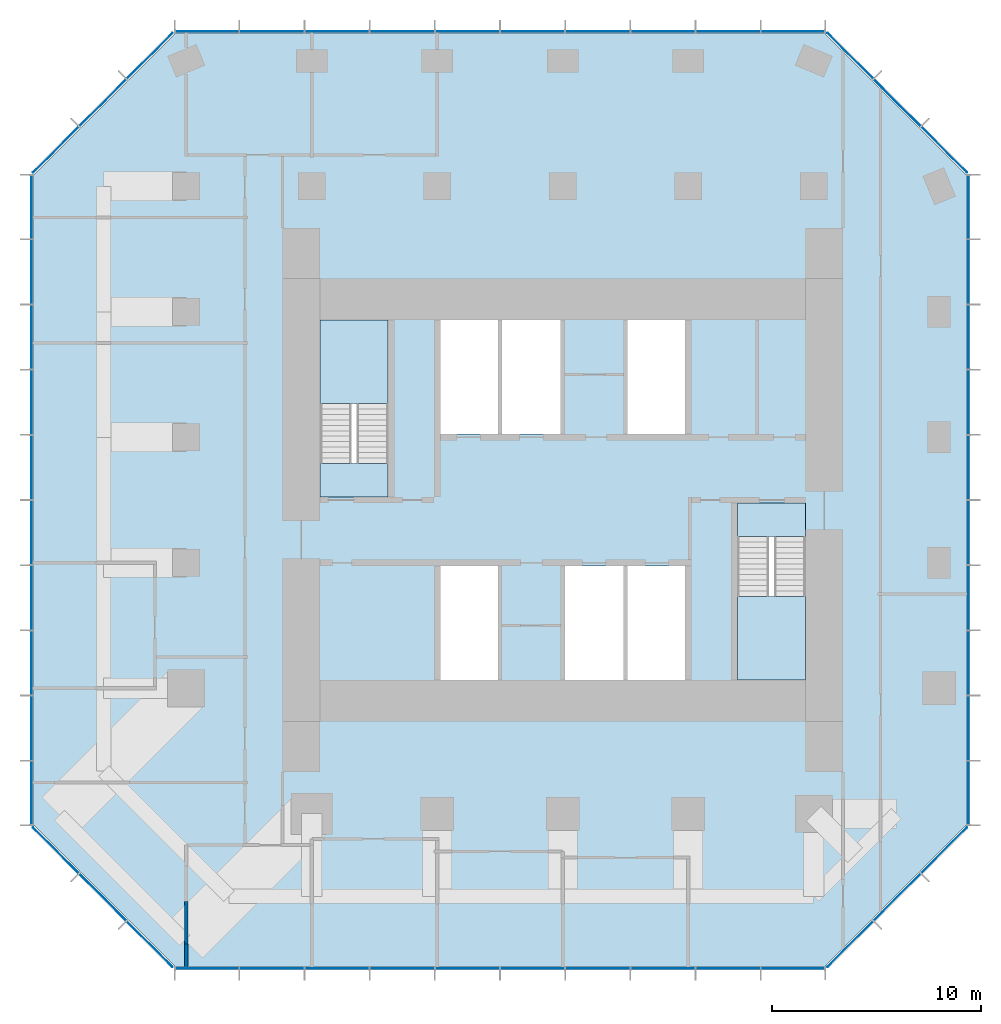
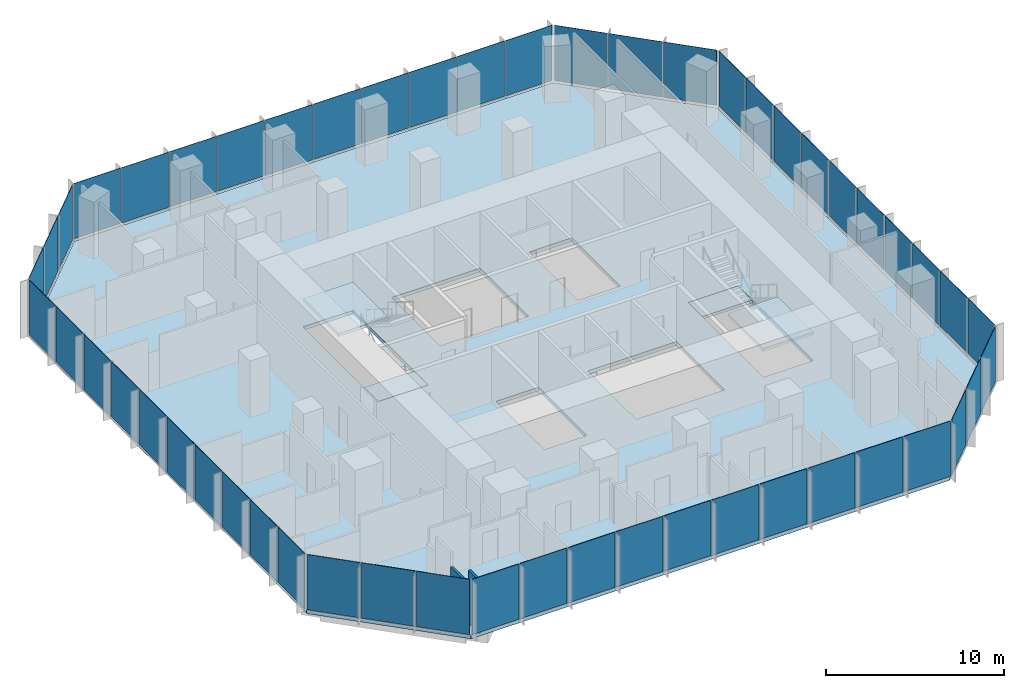
# One storey, part 7 of 11: 52 plates, 5 slabs, 2 walls, 10 elements without a shape of their own.
"""IFC4 building model written with IfcOpenShell, lengths in metres."""

from ifc_helpers import new_model, si_unit, direction, frame, frame_2d, origin, origin_2d, place, context, subcontext, project, spatial, polyline, rectangle, outline, extrude, material, layer, layer_set, type_object, element, aggregate, save


model = new_model("IFC4")

# Units and contexts
model_context = context("Model", 3, precision=1e-05, world=origin(), true_north=direction((0.0, 1.0)))
body_context = subcontext(model_context, "Body", "Model", "MODEL_VIEW")
ifc_project = project(units=[si_unit("LENGTHUNIT", "METRE"), si_unit("AREAUNIT", "SQUARE_METRE"), si_unit("VOLUMEUNIT", "CUBIC_METRE"), si_unit("PLANEANGLEUNIT", "RADIAN"), si_unit("MASSUNIT", "GRAM", prefix="KILO")], contexts=[model_context])

# Site, building, storey
site_placement = place(None, origin())
site = spatial("IfcSite", under=ifc_project, at=site_placement, CompositionType="ELEMENT")
building_placement = place(site_placement, origin())
building = spatial("IfcBuilding", under=site, at=building_placement, Name="Highveld Stack Headquarters", CompositionType="ELEMENT")
storey_placement = place(building_placement, frame((0.0, 0.0, 224.0)))
storey = spatial("IfcBuildingStorey", under=building, at=storey_placement, Name="L55", CompositionType="ELEMENT", Elevation=224.0)

# Curtain wall, plates
ifc_material_1 = material(Name="Aluminium bronze anodised", Category="aluminium")
ifc_layer_1 = layer(ifc_material_1, 0.199951171875)
ifc_layer_set_1 = layer_set([ifc_layer_1], Name="Aluminium bronze anodised")
curtain_wall_type_1 = type_object("IfcCurtainWallType", Name="CW1 TOWER UNITISED CURTAIN WALL", PredefinedType="NOTDEFINED", material=ifc_layer_set_1)
curtain_wall_1_placement = place(storey_placement, origin())
curtain_wall_1 = element("IfcCurtainWall", 1, at=curtain_wall_1_placement, inside=storey, type_object=curtain_wall_type_1, Name="Curtain wall CW1 L55 S", PredefinedType="NOTDEFINED")
ifc_material_2 = material(Name="Glass bronze tinted double glazed unit", Category="glass")
ifc_layer_2 = layer(ifc_material_2, 0.028076171875)
ifc_layer_set_2 = layer_set([ifc_layer_2], Name="Glass bronze tinted double glazed unit")
plate_type_1 = type_object("IfcPlateType", Name="CW1 PANEL BRONZE TINTED DOUBLE GLAZED UNIT", PredefinedType="CURTAIN_PANEL", material=ifc_layer_set_2)
plate_1_placement = place(storey_placement, frame((-11.005615234375, -19.39990234375, 0.10009765625), z_axis=(0.0, 0.0, 1.0), x_axis=(1.0, 0.0, 0.0)))
plate_1 = element("IfcPlate", 2, at=plate_1_placement, type_object=plate_type_1, Name="CW1 panel L55 1.1", PredefinedType="CURTAIN_PANEL", context=body_context, shape_type="SweptSolid", body=[
    extrude(rectangle(XDim=3.0185546875, YDim=0.028076171875, at=origin_2d()), origin(), (0.0, 0.0, 1.0), 3.800048828125),
])
plate_2_placement = place(storey_placement, frame((-7.906005859375, -19.39990234375, 0.10009765625), z_axis=(0.0, 0.0, 1.0), x_axis=(1.0, 0.0, 0.0)))
plate_2 = element("IfcPlate", 3, at=plate_2_placement, type_object=plate_type_1, Name="CW1 panel L55 2.1", PredefinedType="CURTAIN_PANEL", context=body_context, shape_type="SweptSolid", body=[
    extrude(rectangle(XDim=3.051025390625, YDim=0.028076171875, at=origin_2d()), origin(), (0.0, 0.0, 1.0), 3.800048828125),
])
plate_3_placement = place(storey_placement, frame((-4.7900390625, -19.39990234375, 0.10009765625), z_axis=(0.0, 0.0, 1.0), x_axis=(1.0, 0.0, 0.0)))
plate_3 = element("IfcPlate", 4, at=plate_3_placement, type_object=plate_type_1, Name="CW1 panel L55 3.1", PredefinedType="CURTAIN_PANEL", context=body_context, shape_type="SweptSolid", body=[
    extrude(rectangle(XDim=3.051025390625, YDim=0.028076171875, at=origin_2d()), origin(), (0.0, 0.0, 1.0), 3.800048828125),
])
plate_4_placement = place(storey_placement, frame((-1.674072265625, -19.39990234375, 0.10009765625), z_axis=(0.0, 0.0, 1.0), x_axis=(1.0, 0.0, 0.0)))
plate_4 = element("IfcPlate", 5, at=plate_4_placement, type_object=plate_type_1, Name="CW1 panel L55 4.1", PredefinedType="CURTAIN_PANEL", context=body_context, shape_type="SweptSolid", body=[
    extrude(rectangle(XDim=3.051025390625, YDim=0.028076171875, at=origin_2d()), origin(), (0.0, 0.0, 1.0), 3.800048828125),
])
plate_5_placement = place(storey_placement, frame((1.44189453125, -19.39990234375, 0.10009765625), z_axis=(0.0, 0.0, 1.0), x_axis=(1.0, 0.0, 0.0)))
plate_5 = element("IfcPlate", 6, at=plate_5_placement, type_object=plate_type_1, Name="CW1 panel L55 5.1", PredefinedType="CURTAIN_PANEL", context=body_context, shape_type="SweptSolid", body=[
    extrude(rectangle(XDim=3.051025390625, YDim=0.028076171875, at=origin_2d()), origin(), (0.0, 0.0, 1.0), 3.800048828125),
])
plate_6_placement = place(storey_placement, frame((4.55810546875, -19.39990234375, 0.10009765625), z_axis=(0.0, 0.0, 1.0), x_axis=(1.0, 0.0, 0.0)))
plate_6 = element("IfcPlate", 7, at=plate_6_placement, type_object=plate_type_1, Name="CW1 panel L55 6.1", PredefinedType="CURTAIN_PANEL", context=body_context, shape_type="SweptSolid", body=[
    extrude(rectangle(XDim=3.051025390625, YDim=0.028076171875, at=origin_2d()), origin(), (0.0, 0.0, 1.0), 3.800048828125),
])
plate_7_placement = place(storey_placement, frame((7.674072265625, -19.39990234375, 0.10009765625), z_axis=(0.0, 0.0, 1.0), x_axis=(1.0, 0.0, 0.0)))
plate_7 = element("IfcPlate", 8, at=plate_7_placement, type_object=plate_type_1, Name="CW1 panel L55 7.1", PredefinedType="CURTAIN_PANEL", context=body_context, shape_type="SweptSolid", body=[
    extrude(rectangle(XDim=3.051025390625, YDim=0.028076171875, at=origin_2d()), origin(), (0.0, 0.0, 1.0), 3.800048828125),
])
plate_8_placement = place(storey_placement, frame((10.789794921875, -19.39990234375, 0.10009765625), z_axis=(0.0, 0.0, 1.0), x_axis=(1.0, 0.0, 0.0)))
plate_8 = element("IfcPlate", 9, at=plate_8_placement, type_object=plate_type_1, Name="CW1 panel L55 8.1", PredefinedType="CURTAIN_PANEL", context=body_context, shape_type="SweptSolid", body=[
    extrude(rectangle(XDim=3.051025390625, YDim=0.028076171875, at=origin_2d()), origin(), (0.0, 0.0, 1.0), 3.800048828125),
])
plate_9_placement = place(storey_placement, frame((13.906005859375, -19.39990234375, 0.10009765625), z_axis=(0.0, 0.0, 1.0), x_axis=(1.0, 0.0, 0.0)))
plate_9 = element("IfcPlate", 10, at=plate_9_placement, type_object=plate_type_1, Name="CW1 panel L55 9.1", PredefinedType="CURTAIN_PANEL", context=body_context, shape_type="SweptSolid", body=[
    extrude(rectangle(XDim=3.051025390625, YDim=0.028076171875, at=origin_2d()), origin(), (0.0, 0.0, 1.0), 3.800048828125),
])
plate_10_placement = place(storey_placement, frame((17.005615234375, -19.39990234375, 0.10009765625), z_axis=(0.0, 0.0, 1.0), x_axis=(1.0, 0.0, 0.0)))
plate_10 = element("IfcPlate", 11, at=plate_10_placement, type_object=plate_type_1, Name="CW1 panel L55 10.1", PredefinedType="CURTAIN_PANEL", context=body_context, shape_type="SweptSolid", body=[
    extrude(rectangle(XDim=3.0185546875, YDim=0.028076171875, at=origin_2d()), origin(), (0.0, 0.0, 1.0), 3.800048828125),
])
aggregate(curtain_wall_1, [plate_1, plate_2, plate_3, plate_4, plate_5, plate_6, plate_7, plate_8, plate_9, plate_10])

curtain_wall_2_placement = place(storey_placement, origin())
curtain_wall_2 = element("IfcCurtainWall", 12, at=curtain_wall_2_placement, inside=storey, type_object=curtain_wall_type_1, Name="Curtain wall CW1 L55 E", PredefinedType="NOTDEFINED")
plate_11_placement = place(storey_placement, frame((25.39990234375, -11.005615234375, 0.10009765625), z_axis=(0.0, 0.0, 1.0), x_axis=(0.0, 1.0, 0.0)))
plate_11 = element("IfcPlate", 13, at=plate_11_placement, type_object=plate_type_1, Name="CW1 panel L55 1.1", PredefinedType="CURTAIN_PANEL", context=body_context, shape_type="SweptSolid", body=[
    extrude(rectangle(XDim=3.0185546875, YDim=0.028076171875, at=origin_2d()), origin(), (0.0, 0.0, 1.0), 3.800048828125),
])
plate_12_placement = place(storey_placement, frame((25.39990234375, -7.906005859375, 0.10009765625), z_axis=(0.0, 0.0, 1.0), x_axis=(0.0, 1.0, 0.0)))
plate_12 = element("IfcPlate", 14, at=plate_12_placement, type_object=plate_type_1, Name="CW1 panel L55 2.1", PredefinedType="CURTAIN_PANEL", context=body_context, shape_type="SweptSolid", body=[
    extrude(rectangle(XDim=3.051025390625, YDim=0.028076171875, at=origin_2d()), origin(), (0.0, 0.0, 1.0), 3.800048828125),
])
plate_13_placement = place(storey_placement, frame((25.39990234375, -4.7900390625, 0.10009765625), z_axis=(0.0, 0.0, 1.0), x_axis=(0.0, 1.0, 0.0)))
plate_13 = element("IfcPlate", 15, at=plate_13_placement, type_object=plate_type_1, Name="CW1 panel L55 3.1", PredefinedType="CURTAIN_PANEL", context=body_context, shape_type="SweptSolid", body=[
    extrude(rectangle(XDim=3.051025390625, YDim=0.028076171875, at=origin_2d()), origin(), (0.0, 0.0, 1.0), 3.800048828125),
])
plate_14_placement = place(storey_placement, frame((25.39990234375, -1.674072265625, 0.10009765625), z_axis=(0.0, 0.0, 1.0), x_axis=(0.0, 1.0, 0.0)))
plate_14 = element("IfcPlate", 16, at=plate_14_placement, type_object=plate_type_1, Name="CW1 panel L55 4.1", PredefinedType="CURTAIN_PANEL", context=body_context, shape_type="SweptSolid", body=[
    extrude(rectangle(XDim=3.051025390625, YDim=0.028076171875, at=origin_2d()), origin(), (0.0, 0.0, 1.0), 3.800048828125),
])
plate_15_placement = place(storey_placement, frame((25.39990234375, 1.44189453125, 0.10009765625), z_axis=(0.0, 0.0, 1.0), x_axis=(0.0, 1.0, 0.0)))
plate_15 = element("IfcPlate", 17, at=plate_15_placement, type_object=plate_type_1, Name="CW1 panel L55 5.1", PredefinedType="CURTAIN_PANEL", context=body_context, shape_type="SweptSolid", body=[
    extrude(rectangle(XDim=3.051025390625, YDim=0.028076171875, at=origin_2d()), origin(), (0.0, 0.0, 1.0), 3.800048828125),
])
plate_16_placement = place(storey_placement, frame((25.39990234375, 4.55810546875, 0.10009765625), z_axis=(0.0, 0.0, 1.0), x_axis=(0.0, 1.0, 0.0)))
plate_16 = element("IfcPlate", 18, at=plate_16_placement, type_object=plate_type_1, Name="CW1 panel L55 6.1", PredefinedType="CURTAIN_PANEL", context=body_context, shape_type="SweptSolid", body=[
    extrude(rectangle(XDim=3.051025390625, YDim=0.028076171875, at=origin_2d()), origin(), (0.0, 0.0, 1.0), 3.800048828125),
])
plate_17_placement = place(storey_placement, frame((25.39990234375, 7.674072265625, 0.10009765625), z_axis=(0.0, 0.0, 1.0), x_axis=(0.0, 1.0, 0.0)))
plate_17 = element("IfcPlate", 19, at=plate_17_placement, type_object=plate_type_1, Name="CW1 panel L55 7.1", PredefinedType="CURTAIN_PANEL", context=body_context, shape_type="SweptSolid", body=[
    extrude(rectangle(XDim=3.051025390625, YDim=0.028076171875, at=origin_2d()), origin(), (0.0, 0.0, 1.0), 3.800048828125),
])
plate_18_placement = place(storey_placement, frame((25.39990234375, 10.789794921875, 0.10009765625), z_axis=(0.0, 0.0, 1.0), x_axis=(0.0, 1.0, 0.0)))
plate_18 = element("IfcPlate", 20, at=plate_18_placement, type_object=plate_type_1, Name="CW1 panel L55 8.1", PredefinedType="CURTAIN_PANEL", context=body_context, shape_type="SweptSolid", body=[
    extrude(rectangle(XDim=3.051025390625, YDim=0.028076171875, at=origin_2d()), origin(), (0.0, 0.0, 1.0), 3.800048828125),
])
plate_19_placement = place(storey_placement, frame((25.39990234375, 13.906005859375, 0.10009765625), z_axis=(0.0, 0.0, 1.0), x_axis=(0.0, 1.0, 0.0)))
plate_19 = element("IfcPlate", 21, at=plate_19_placement, type_object=plate_type_1, Name="CW1 panel L55 9.1", PredefinedType="CURTAIN_PANEL", context=body_context, shape_type="SweptSolid", body=[
    extrude(rectangle(XDim=3.051025390625, YDim=0.028076171875, at=origin_2d()), origin(), (0.0, 0.0, 1.0), 3.800048828125),
])
plate_20_placement = place(storey_placement, frame((25.39990234375, 17.005615234375, 0.10009765625), z_axis=(0.0, 0.0, 1.0), x_axis=(0.0, 1.0, 0.0)))
plate_20 = element("IfcPlate", 22, at=plate_20_placement, type_object=plate_type_1, Name="CW1 panel L55 10.1", PredefinedType="CURTAIN_PANEL", context=body_context, shape_type="SweptSolid", body=[
    extrude(rectangle(XDim=3.0185546875, YDim=0.028076171875, at=origin_2d()), origin(), (0.0, 0.0, 1.0), 3.800048828125),
])
aggregate(curtain_wall_2, [plate_11, plate_12, plate_13, plate_14, plate_15, plate_16, plate_17, plate_18, plate_19, plate_20])

curtain_wall_3_placement = place(storey_placement, origin())
curtain_wall_3 = element("IfcCurtainWall", 23, at=curtain_wall_3_placement, inside=storey, type_object=curtain_wall_type_1, Name="Curtain wall CW1 L55 N", PredefinedType="NOTDEFINED")
plate_21_placement = place(storey_placement, frame((17.005615234375, 25.39990234375, 0.10009765625), z_axis=(0.0, 0.0, 1.0), x_axis=(-1.0, 0.0, 0.0)))
plate_21 = element("IfcPlate", 24, at=plate_21_placement, type_object=plate_type_1, Name="CW1 panel L55 1.1", PredefinedType="CURTAIN_PANEL", context=body_context, shape_type="SweptSolid", body=[
    extrude(rectangle(XDim=3.0185546875, YDim=0.028076171875, at=origin_2d()), origin(), (0.0, 0.0, 1.0), 3.800048828125),
])
plate_22_placement = place(storey_placement, frame((13.906005859375, 25.39990234375, 0.10009765625), z_axis=(0.0, 0.0, 1.0), x_axis=(-1.0, 0.0, 0.0)))
plate_22 = element("IfcPlate", 25, at=plate_22_placement, type_object=plate_type_1, Name="CW1 panel L55 2.1", PredefinedType="CURTAIN_PANEL", context=body_context, shape_type="SweptSolid", body=[
    extrude(rectangle(XDim=3.051025390625, YDim=0.028076171875, at=origin_2d()), origin(), (0.0, 0.0, 1.0), 3.800048828125),
])
plate_23_placement = place(storey_placement, frame((10.7900390625, 25.39990234375, 0.10009765625), z_axis=(0.0, 0.0, 1.0), x_axis=(-1.0, 0.0, 0.0)))
plate_23 = element("IfcPlate", 26, at=plate_23_placement, type_object=plate_type_1, Name="CW1 panel L55 3.1", PredefinedType="CURTAIN_PANEL", context=body_context, shape_type="SweptSolid", body=[
    extrude(rectangle(XDim=3.051025390625, YDim=0.028076171875, at=origin_2d()), origin(), (0.0, 0.0, 1.0), 3.800048828125),
])
plate_24_placement = place(storey_placement, frame((7.674072265625, 25.39990234375, 0.10009765625), z_axis=(0.0, 0.0, 1.0), x_axis=(-1.0, 0.0, 0.0)))
plate_24 = element("IfcPlate", 27, at=plate_24_placement, type_object=plate_type_1, Name="CW1 panel L55 4.1", PredefinedType="CURTAIN_PANEL", context=body_context, shape_type="SweptSolid", body=[
    extrude(rectangle(XDim=3.051025390625, YDim=0.028076171875, at=origin_2d()), origin(), (0.0, 0.0, 1.0), 3.800048828125),
])
plate_25_placement = place(storey_placement, frame((4.55810546875, 25.39990234375, 0.10009765625), z_axis=(0.0, 0.0, 1.0), x_axis=(-1.0, 0.0, 0.0)))
plate_25 = element("IfcPlate", 28, at=plate_25_placement, type_object=plate_type_1, Name="CW1 panel L55 5.1", PredefinedType="CURTAIN_PANEL", context=body_context, shape_type="SweptSolid", body=[
    extrude(rectangle(XDim=3.051025390625, YDim=0.028076171875, at=origin_2d()), origin(), (0.0, 0.0, 1.0), 3.800048828125),
])
plate_26_placement = place(storey_placement, frame((1.44189453125, 25.39990234375, 0.10009765625), z_axis=(0.0, 0.0, 1.0), x_axis=(-1.0, 0.0, 0.0)))
plate_26 = element("IfcPlate", 29, at=plate_26_placement, type_object=plate_type_1, Name="CW1 panel L55 6.1", PredefinedType="CURTAIN_PANEL", context=body_context, shape_type="SweptSolid", body=[
    extrude(rectangle(XDim=3.051025390625, YDim=0.028076171875, at=origin_2d()), origin(), (0.0, 0.0, 1.0), 3.800048828125),
])
plate_27_placement = place(storey_placement, frame((-1.674072265625, 25.39990234375, 0.10009765625), z_axis=(0.0, 0.0, 1.0), x_axis=(-1.0, 0.0, 0.0)))
plate_27 = element("IfcPlate", 30, at=plate_27_placement, type_object=plate_type_1, Name="CW1 panel L55 7.1", PredefinedType="CURTAIN_PANEL", context=body_context, shape_type="SweptSolid", body=[
    extrude(rectangle(XDim=3.051025390625, YDim=0.028076171875, at=origin_2d()), origin(), (0.0, 0.0, 1.0), 3.800048828125),
])
plate_28_placement = place(storey_placement, frame((-4.789794921875, 25.39990234375, 0.10009765625), z_axis=(0.0, 0.0, 1.0), x_axis=(-1.0, 0.0, 0.0)))
plate_28 = element("IfcPlate", 31, at=plate_28_placement, type_object=plate_type_1, Name="CW1 panel L55 8.1", PredefinedType="CURTAIN_PANEL", context=body_context, shape_type="SweptSolid", body=[
    extrude(rectangle(XDim=3.051025390625, YDim=0.028076171875, at=origin_2d()), origin(), (0.0, 0.0, 1.0), 3.800048828125),
])
plate_29_placement = place(storey_placement, frame((-7.906005859375, 25.39990234375, 0.10009765625), z_axis=(0.0, 0.0, 1.0), x_axis=(-1.0, 0.0, 0.0)))
plate_29 = element("IfcPlate", 32, at=plate_29_placement, type_object=plate_type_1, Name="CW1 panel L55 9.1", PredefinedType="CURTAIN_PANEL", context=body_context, shape_type="SweptSolid", body=[
    extrude(rectangle(XDim=3.051025390625, YDim=0.028076171875, at=origin_2d()), origin(), (0.0, 0.0, 1.0), 3.800048828125),
])
plate_30_placement = place(storey_placement, frame((-11.005615234375, 25.39990234375, 0.10009765625), z_axis=(0.0, 0.0, 1.0), x_axis=(-1.0, 0.0, 0.0)))
plate_30 = element("IfcPlate", 33, at=plate_30_placement, type_object=plate_type_1, Name="CW1 panel L55 10.1", PredefinedType="CURTAIN_PANEL", context=body_context, shape_type="SweptSolid", body=[
    extrude(rectangle(XDim=3.0185546875, YDim=0.028076171875, at=origin_2d()), origin(), (0.0, 0.0, 1.0), 3.800048828125),
])
aggregate(curtain_wall_3, [plate_21, plate_22, plate_23, plate_24, plate_25, plate_26, plate_27, plate_28, plate_29, plate_30])

curtain_wall_4_placement = place(storey_placement, origin())
curtain_wall_4 = element("IfcCurtainWall", 34, at=curtain_wall_4_placement, inside=storey, type_object=curtain_wall_type_1, Name="Curtain wall CW1 L55 W", PredefinedType="NOTDEFINED")
plate_31_placement = place(storey_placement, frame((-19.39990234375, 17.005615234375, 0.10009765625), z_axis=(0.0, 0.0, 1.0), x_axis=(0.0, -1.0, 0.0)))
plate_31 = element("IfcPlate", 35, at=plate_31_placement, type_object=plate_type_1, Name="CW1 panel L55 1.1", PredefinedType="CURTAIN_PANEL", context=body_context, shape_type="SweptSolid", body=[
    extrude(rectangle(XDim=3.0185546875, YDim=0.028076171875, at=origin_2d()), origin(), (0.0, 0.0, 1.0), 3.800048828125),
])
plate_32_placement = place(storey_placement, frame((-19.39990234375, 13.906005859375, 0.10009765625), z_axis=(0.0, 0.0, 1.0), x_axis=(0.0, -1.0, 0.0)))
plate_32 = element("IfcPlate", 36, at=plate_32_placement, type_object=plate_type_1, Name="CW1 panel L55 2.1", PredefinedType="CURTAIN_PANEL", context=body_context, shape_type="SweptSolid", body=[
    extrude(rectangle(XDim=3.051025390625, YDim=0.028076171875, at=origin_2d()), origin(), (0.0, 0.0, 1.0), 3.800048828125),
])
plate_33_placement = place(storey_placement, frame((-19.39990234375, 10.7900390625, 0.10009765625), z_axis=(0.0, 0.0, 1.0), x_axis=(0.0, -1.0, 0.0)))
plate_33 = element("IfcPlate", 37, at=plate_33_placement, type_object=plate_type_1, Name="CW1 panel L55 3.1", PredefinedType="CURTAIN_PANEL", context=body_context, shape_type="SweptSolid", body=[
    extrude(rectangle(XDim=3.051025390625, YDim=0.028076171875, at=origin_2d()), origin(), (0.0, 0.0, 1.0), 3.800048828125),
])
plate_34_placement = place(storey_placement, frame((-19.39990234375, 7.674072265625, 0.10009765625), z_axis=(0.0, 0.0, 1.0), x_axis=(0.0, -1.0, 0.0)))
plate_34 = element("IfcPlate", 38, at=plate_34_placement, type_object=plate_type_1, Name="CW1 panel L55 4.1", PredefinedType="CURTAIN_PANEL", context=body_context, shape_type="SweptSolid", body=[
    extrude(rectangle(XDim=3.051025390625, YDim=0.028076171875, at=origin_2d()), origin(), (0.0, 0.0, 1.0), 3.800048828125),
])
plate_35_placement = place(storey_placement, frame((-19.39990234375, 4.55810546875, 0.10009765625), z_axis=(0.0, 0.0, 1.0), x_axis=(0.0, -1.0, 0.0)))
plate_35 = element("IfcPlate", 39, at=plate_35_placement, type_object=plate_type_1, Name="CW1 panel L55 5.1", PredefinedType="CURTAIN_PANEL", context=body_context, shape_type="SweptSolid", body=[
    extrude(rectangle(XDim=3.051025390625, YDim=0.028076171875, at=origin_2d()), origin(), (0.0, 0.0, 1.0), 3.800048828125),
])
plate_36_placement = place(storey_placement, frame((-19.39990234375, 1.44189453125, 0.10009765625), z_axis=(0.0, 0.0, 1.0), x_axis=(0.0, -1.0, 0.0)))
plate_36 = element("IfcPlate", 40, at=plate_36_placement, type_object=plate_type_1, Name="CW1 panel L55 6.1", PredefinedType="CURTAIN_PANEL", context=body_context, shape_type="SweptSolid", body=[
    extrude(rectangle(XDim=3.051025390625, YDim=0.028076171875, at=origin_2d()), origin(), (0.0, 0.0, 1.0), 3.800048828125),
])
plate_37_placement = place(storey_placement, frame((-19.39990234375, -1.674072265625, 0.10009765625), z_axis=(0.0, 0.0, 1.0), x_axis=(0.0, -1.0, 0.0)))
plate_37 = element("IfcPlate", 41, at=plate_37_placement, type_object=plate_type_1, Name="CW1 panel L55 7.1", PredefinedType="CURTAIN_PANEL", context=body_context, shape_type="SweptSolid", body=[
    extrude(rectangle(XDim=3.051025390625, YDim=0.028076171875, at=origin_2d()), origin(), (0.0, 0.0, 1.0), 3.800048828125),
])
plate_38_placement = place(storey_placement, frame((-19.39990234375, -4.789794921875, 0.10009765625), z_axis=(0.0, 0.0, 1.0), x_axis=(0.0, -1.0, 0.0)))
plate_38 = element("IfcPlate", 42, at=plate_38_placement, type_object=plate_type_1, Name="CW1 panel L55 8.1", PredefinedType="CURTAIN_PANEL", context=body_context, shape_type="SweptSolid", body=[
    extrude(rectangle(XDim=3.051025390625, YDim=0.028076171875, at=origin_2d()), origin(), (0.0, 0.0, 1.0), 3.800048828125),
])
plate_39_placement = place(storey_placement, frame((-19.39990234375, -7.906005859375, 0.10009765625), z_axis=(0.0, 0.0, 1.0), x_axis=(0.0, -1.0, 0.0)))
plate_39 = element("IfcPlate", 43, at=plate_39_placement, type_object=plate_type_1, Name="CW1 panel L55 9.1", PredefinedType="CURTAIN_PANEL", context=body_context, shape_type="SweptSolid", body=[
    extrude(rectangle(XDim=3.051025390625, YDim=0.028076171875, at=origin_2d()), origin(), (0.0, 0.0, 1.0), 3.800048828125),
])
plate_40_placement = place(storey_placement, frame((-19.39990234375, -11.005615234375, 0.10009765625), z_axis=(0.0, 0.0, 1.0), x_axis=(0.0, -1.0, 0.0)))
plate_40 = element("IfcPlate", 44, at=plate_40_placement, type_object=plate_type_1, Name="CW1 panel L55 10.1", PredefinedType="CURTAIN_PANEL", context=body_context, shape_type="SweptSolid", body=[
    extrude(rectangle(XDim=3.0185546875, YDim=0.028076171875, at=origin_2d()), origin(), (0.0, 0.0, 1.0), 3.800048828125),
])
aggregate(curtain_wall_4, [plate_31, plate_32, plate_33, plate_34, plate_35, plate_36, plate_37, plate_38, plate_39, plate_40])

ifc_material_3 = material(Name="Aluminium bronze anodised", Category="aluminium")
ifc_layer_3 = layer(ifc_material_3, 0.199951171875)
ifc_layer_set_3 = layer_set([ifc_layer_3], Name="Aluminium bronze anodised")
curtain_wall_type_2 = type_object("IfcCurtainWallType", Name="CW2 TOWER CHAMFER UNITISED CURTAIN WALL", PredefinedType="NOTDEFINED", material=ifc_layer_set_3)
curtain_wall_5_placement = place(storey_placement, origin())
curtain_wall_5 = element("IfcCurtainWall", 45, at=curtain_wall_5_placement, inside=storey, type_object=curtain_wall_type_2, Name="Curtain wall CW2 L55 SE", PredefinedType="NOTDEFINED")
ifc_material_4 = material(Name="Glass bronze tinted double glazed unit", Category="glass")
ifc_layer_4 = layer(ifc_material_4, 0.028076171875)
ifc_layer_set_4 = layer_set([ifc_layer_4], Name="Glass bronze tinted double glazed unit")
plate_type_2 = type_object("IfcPlateType", Name="CW2 PANEL BRONZE TINTED DOUBLE GLAZED UNIT", PredefinedType="CURTAIN_PANEL", material=ifc_layer_set_4)
plate_41_placement = place(storey_placement, frame((19.740478515625, -18.239501953125, 0.10009765625), z_axis=(0.0, 0.0, 1.0), x_axis=(0.707106781187, 0.707106781187, 0.0)))
plate_41 = element("IfcPlate", 46, at=plate_41_placement, type_object=plate_type_2, Name="CW2 panel L55 1.1", PredefinedType="CURTAIN_PANEL", context=body_context, shape_type="SweptSolid", body=[
    extrude(rectangle(XDim=3.08251953125, YDim=0.028076171875, at=origin_2d()), origin(), (0.0, 0.0, 1.0), 3.800048828125),
])
plate_42_placement = place(storey_placement, frame((21.989990234375, -15.989990234375, 0.10009765625), z_axis=(0.0, 0.0, 1.0), x_axis=(0.707106781187, 0.707106781187, 0.0)))
plate_42 = element("IfcPlate", 47, at=plate_42_placement, type_object=plate_type_2, Name="CW2 panel L55 2.1", PredefinedType="CURTAIN_PANEL", context=body_context, shape_type="SweptSolid", body=[
    extrude(rectangle(XDim=3.14990234375, YDim=0.028076171875, at=origin_2d()), origin(), (0.0, 0.0, 1.0), 3.800048828125),
])
plate_43_placement = place(storey_placement, frame((24.239501953125, -13.740478515625, 0.10009765625), z_axis=(0.0, 0.0, 1.0), x_axis=(0.707106781187, 0.707106781187, 0.0)))
plate_43 = element("IfcPlate", 48, at=plate_43_placement, type_object=plate_type_2, Name="CW2 panel L55 3.1", PredefinedType="CURTAIN_PANEL", context=body_context, shape_type="SweptSolid", body=[
    extrude(rectangle(XDim=3.08251953125, YDim=0.028076171875, at=origin_2d()), origin(), (0.0, 0.0, 1.0), 3.800048828125),
])
aggregate(curtain_wall_5, [plate_41, plate_42, plate_43])

curtain_wall_6_placement = place(storey_placement, origin())
curtain_wall_6 = element("IfcCurtainWall", 49, at=curtain_wall_6_placement, inside=storey, type_object=curtain_wall_type_2, Name="Curtain wall CW2 L55 NE", PredefinedType="NOTDEFINED")
plate_44_placement = place(storey_placement, frame((24.239501953125, 19.740478515625, 0.10009765625), z_axis=(0.0, 0.0, 1.0), x_axis=(-0.707106781187, 0.707106781187, 0.0)))
plate_44 = element("IfcPlate", 50, at=plate_44_placement, type_object=plate_type_2, Name="CW2 panel L55 1.1", PredefinedType="CURTAIN_PANEL", context=body_context, shape_type="SweptSolid", body=[
    extrude(rectangle(XDim=3.08251953125, YDim=0.028076171875, at=origin_2d()), origin(), (0.0, 0.0, 1.0), 3.800048828125),
])
plate_45_placement = place(storey_placement, frame((21.989990234375, 21.989990234375, 0.10009765625), z_axis=(0.0, 0.0, 1.0), x_axis=(-0.707106781187, 0.707106781187, 0.0)))
plate_45 = element("IfcPlate", 51, at=plate_45_placement, type_object=plate_type_2, Name="CW2 panel L55 2.1", PredefinedType="CURTAIN_PANEL", context=body_context, shape_type="SweptSolid", body=[
    extrude(rectangle(XDim=3.14990234375, YDim=0.028076171875, at=origin_2d()), origin(), (0.0, 0.0, 1.0), 3.800048828125),
])
plate_46_placement = place(storey_placement, frame((19.740478515625, 24.239501953125, 0.10009765625), z_axis=(0.0, 0.0, 1.0), x_axis=(-0.707106781187, 0.707106781187, 0.0)))
plate_46 = element("IfcPlate", 52, at=plate_46_placement, type_object=plate_type_2, Name="CW2 panel L55 3.1", PredefinedType="CURTAIN_PANEL", context=body_context, shape_type="SweptSolid", body=[
    extrude(rectangle(XDim=3.08251953125, YDim=0.028076171875, at=origin_2d()), origin(), (0.0, 0.0, 1.0), 3.800048828125),
])
aggregate(curtain_wall_6, [plate_44, plate_45, plate_46])

curtain_wall_7_placement = place(storey_placement, origin())
curtain_wall_7 = element("IfcCurtainWall", 53, at=curtain_wall_7_placement, inside=storey, type_object=curtain_wall_type_2, Name="Curtain wall CW2 L55 NW", PredefinedType="NOTDEFINED")
plate_47_placement = place(storey_placement, frame((-13.740478515625, 24.239501953125, 0.10009765625), z_axis=(0.0, 0.0, 1.0), x_axis=(-0.707106781187, -0.707106781187, 0.0)))
plate_47 = element("IfcPlate", 54, at=plate_47_placement, type_object=plate_type_2, Name="CW2 panel L55 1.1", PredefinedType="CURTAIN_PANEL", context=body_context, shape_type="SweptSolid", body=[
    extrude(rectangle(XDim=3.08251953125, YDim=0.028076171875, at=origin_2d()), origin(), (0.0, 0.0, 1.0), 3.800048828125),
])
plate_48_placement = place(storey_placement, frame((-15.989990234375, 21.989990234375, 0.10009765625), z_axis=(0.0, 0.0, 1.0), x_axis=(-0.707106781187, -0.707106781187, 0.0)))
plate_48 = element("IfcPlate", 55, at=plate_48_placement, type_object=plate_type_2, Name="CW2 panel L55 2.1", PredefinedType="CURTAIN_PANEL", context=body_context, shape_type="SweptSolid", body=[
    extrude(rectangle(XDim=3.14990234375, YDim=0.028076171875, at=origin_2d()), origin(), (0.0, 0.0, 1.0), 3.800048828125),
])
plate_49_placement = place(storey_placement, frame((-18.239501953125, 19.740478515625, 0.10009765625), z_axis=(0.0, 0.0, 1.0), x_axis=(-0.707106781187, -0.707106781187, 0.0)))
plate_49 = element("IfcPlate", 56, at=plate_49_placement, type_object=plate_type_2, Name="CW2 panel L55 3.1", PredefinedType="CURTAIN_PANEL", context=body_context, shape_type="SweptSolid", body=[
    extrude(rectangle(XDim=3.08251953125, YDim=0.028076171875, at=origin_2d()), origin(), (0.0, 0.0, 1.0), 3.800048828125),
])
aggregate(curtain_wall_7, [plate_47, plate_48, plate_49])

curtain_wall_8_placement = place(storey_placement, origin())
curtain_wall_8 = element("IfcCurtainWall", 57, at=curtain_wall_8_placement, inside=storey, type_object=curtain_wall_type_2, Name="Curtain wall CW2 L55 SW", PredefinedType="NOTDEFINED")
plate_50_placement = place(storey_placement, frame((-18.239501953125, -13.740478515625, 0.10009765625), z_axis=(0.0, 0.0, 1.0), x_axis=(0.707106781187, -0.707106781187, 0.0)))
plate_50 = element("IfcPlate", 58, at=plate_50_placement, type_object=plate_type_2, Name="CW2 panel L55 1.1", PredefinedType="CURTAIN_PANEL", context=body_context, shape_type="SweptSolid", body=[
    extrude(rectangle(XDim=3.08251953125, YDim=0.028076171875, at=origin_2d()), origin(), (0.0, 0.0, 1.0), 3.800048828125),
])
plate_51_placement = place(storey_placement, frame((-15.989990234375, -15.989990234375, 0.10009765625), z_axis=(0.0, 0.0, 1.0), x_axis=(0.707106781187, -0.707106781187, 0.0)))
plate_51 = element("IfcPlate", 59, at=plate_51_placement, type_object=plate_type_2, Name="CW2 panel L55 2.1", PredefinedType="CURTAIN_PANEL", context=body_context, shape_type="SweptSolid", body=[
    extrude(rectangle(XDim=3.14990234375, YDim=0.028076171875, at=origin_2d()), origin(), (0.0, 0.0, 1.0), 3.800048828125),
])
plate_52_placement = place(storey_placement, frame((-13.740478515625, -18.239501953125, 0.10009765625), z_axis=(0.0, 0.0, 1.0), x_axis=(0.707106781187, -0.707106781187, 0.0)))
plate_52 = element("IfcPlate", 60, at=plate_52_placement, type_object=plate_type_2, Name="CW2 panel L55 3.1", PredefinedType="CURTAIN_PANEL", context=body_context, shape_type="SweptSolid", body=[
    extrude(rectangle(XDim=3.08251953125, YDim=0.028076171875, at=origin_2d()), origin(), (0.0, 0.0, 1.0), 3.800048828125),
])
aggregate(curtain_wall_8, [plate_50, plate_51, plate_52])

# Slab
ifc_material_5 = material(Name="Concrete C60/75", Category="concrete")
ifc_layer_5 = layer(ifc_material_5, 0.25)
ifc_layer_set_5 = layer_set([ifc_layer_5], Name="Concrete C60/75")
slab_type_1 = type_object("IfcSlabType", Name="PT FLAT SLAB 250", PredefinedType="FLOOR", material=ifc_layer_set_5)
slab_1_placement = place(storey_placement, frame((0.0, 0.0, -0.25)))
element("IfcSlab", 61, at=slab_1_placement, inside=storey, type_object=slab_type_1, Name="Floor slab L55", PredefinedType="FLOOR", context=body_context, shape_type="SweptSolid", body=[
    extrude(outline(polyline([(-12.53857421875, -19.300048828125), (18.53857421875, -19.300048828125), (25.300048828125, -12.53857421875), (25.300048828125, 18.53857421875), (18.53857421875, 25.300048828125), (-12.53857421875, 25.300048828125), (-19.300048828125, 18.53857421875), (-19.300048828125, -12.53857421875), (-12.53857421875, -19.300048828125)]), holes=[polyline([(0.14990234375, 6.14990234375), (5.89990234375, 6.14990234375), (5.89990234375, 11.60009765625), (0.14990234375, 11.60009765625), (0.14990234375, 6.14990234375)]), polyline([(9.10009765625, 6.14990234375), (11.85009765625, 6.14990234375), (11.85009765625, 11.60009765625), (9.10009765625, 11.60009765625), (9.10009765625, 6.14990234375)]), polyline([(6.10009765625, -5.60009765625), (11.85009765625, -5.60009765625), (11.85009765625, -0.14990234375), (6.10009765625, -0.14990234375), (6.10009765625, -5.60009765625)]), polyline([(0.14990234375, -5.60009765625), (2.89990234375, -5.60009765625), (2.89990234375, -0.14990234375), (0.14990234375, -0.14990234375), (0.14990234375, -5.60009765625)]), polyline([(-5.60009765625, 3.14990234375), (-2.35009765625, 3.14990234375), (-2.35009765625, 11.60009765625), (-5.60009765625, 11.60009765625), (-5.60009765625, 3.14990234375)]), polyline([(14.35009765625, -5.60009765625), (17.60009765625, -5.60009765625), (17.60009765625, 2.85009765625), (14.35009765625, 2.85009765625), (14.35009765625, -5.60009765625)])]), origin(), (0.0, 0.0, 1.0), 0.25),
])

# Stair, slabs
ifc_material_6 = material(Name="Concrete C40/50, precast", Category="concrete")
stair_type_1 = type_object("IfcStairType", Name="STAIR S1 HALF TURN 1500", PredefinedType="HALF_TURN_STAIR", material=ifc_material_6)
stair_1_placement = place(storey_placement, origin())
stair_1 = element("IfcStair", 62, at=stair_1_placement, inside=storey, type_object=stair_type_1, Name="Stair S1 L55", PredefinedType="HALF_TURN_STAIR")
ifc_material_7 = material(Name="Concrete C40/50, precast", Category="concrete")
ifc_layer_6 = layer(ifc_material_7, 0.199951171875)
ifc_layer_set_6 = layer_set([ifc_layer_6], Name="Concrete C40/50, precast")
slab_type_2 = type_object("IfcSlabType", Name="STAIR LANDING 200", PredefinedType="LANDING", material=ifc_layer_set_6)
slab_2_placement = place(storey_placement, frame((0.0, 0.0, 1.75)))
slab_2 = element("IfcSlab", 63, at=slab_2_placement, type_object=slab_type_2, Name="S1 landing 1", PredefinedType="LANDING", context=body_context, shape_type="SweptSolid", body=[
    extrude(outline(polyline([(-5.60009765625, 7.610107421875), (-2.35009765625, 7.610107421875), (-2.35009765625, 11.60009765625), (-5.60009765625, 11.60009765625), (-5.60009765625, 7.610107421875)])), origin(), (0.0, 0.0, 1.0), 0.199951171875),
])
slab_3_placement = place(storey_placement, frame((0.0, 0.0, -0.199951171875)))
slab_3 = element("IfcSlab", 64, at=slab_3_placement, type_object=slab_type_2, Name="S1 landing 2", PredefinedType="LANDING", context=body_context, shape_type="SweptSolid", body=[
    extrude(outline(polyline([(-5.60009765625, 3.14990234375), (-2.35009765625, 3.14990234375), (-2.35009765625, 4.75), (-5.60009765625, 4.75), (-5.60009765625, 3.14990234375)])), origin(), (0.0, 0.0, 1.0), 0.199951171875),
])
aggregate(stair_1, [slab_2, slab_3])

ifc_material_8 = material(Name="Concrete C40/50, precast", Category="concrete")
stair_type_2 = type_object("IfcStairType", Name="STAIR S2 HALF TURN 1500", PredefinedType="HALF_TURN_STAIR", material=ifc_material_8)
stair_2_placement = place(storey_placement, origin())
stair_2 = element("IfcStair", 65, at=stair_2_placement, inside=storey, type_object=stair_type_2, Name="Stair S2 L55", PredefinedType="HALF_TURN_STAIR")
slab_4_placement = place(storey_placement, frame((0.0, 0.0, 1.75)))
slab_4 = element("IfcSlab", 66, at=slab_4_placement, type_object=slab_type_2, Name="S2 landing 1", PredefinedType="LANDING", context=body_context, shape_type="SweptSolid", body=[
    extrude(outline(polyline([(14.35009765625, -5.60009765625), (17.60009765625, -5.60009765625), (17.60009765625, -1.610107421875), (14.35009765625, -1.610107421875), (14.35009765625, -5.60009765625)])), origin(), (0.0, 0.0, 1.0), 0.199951171875),
])
slab_5_placement = place(storey_placement, frame((0.0, 0.0, -0.199951171875)))
slab_5 = element("IfcSlab", 67, at=slab_5_placement, type_object=slab_type_2, Name="S2 landing 2", PredefinedType="LANDING", context=body_context, shape_type="SweptSolid", body=[
    extrude(outline(polyline([(14.35009765625, 1.25), (17.60009765625, 1.25), (17.60009765625, 2.85009765625), (14.35009765625, 2.85009765625), (14.35009765625, 1.25)])), origin(), (0.0, 0.0, 1.0), 0.199951171875),
])
aggregate(stair_2, [slab_4, slab_5])

# Walls
ifc_material_9 = material(Name="Gypsum plasterboard on steel studs", Category="steel")
ifc_layer_7 = layer(ifc_material_9, 0.14990234375)
ifc_layer_set_7 = layer_set([ifc_layer_7], Name="Gypsum plasterboard on steel studs")
wall_type = type_object("IfcWallType", Name="PARTITION 150 PLASTERBOARD", PredefinedType="PARTITIONING", material=ifc_layer_set_7)
wall_1_placement = place(storey_placement, frame((-12.0, -19.39990234375, 0.0), z_axis=(0.0, 0.0, 1.0), x_axis=(0.0, 1.0, 0.0)))
element("IfcWall", 68, at=wall_1_placement, inside=storey, type_object=wall_type, Name="Partition Quiet room L55", PredefinedType="PARTITIONING", context=body_context, shape_type="SweptSolid", body=[
    extrude(rectangle(XDim=1.162841796875, YDim=0.14990234375, at=frame_2d((0.58154296875, 0.0))), origin(), (0.0, 0.0, 1.0), 3.64990234375),
])
wall_2_placement = place(storey_placement, frame((-12.0, -18.237060546875, 0.0), z_axis=(0.0, 0.0, 1.0), x_axis=(0.0, 1.0, 0.0)))
element("IfcWall", 69, at=wall_2_placement, inside=storey, type_object=wall_type, Name="Partition Quiet room L55", PredefinedType="PARTITIONING", context=body_context, shape_type="SweptSolid", body=[
    extrude(rectangle(XDim=2.029052734375, YDim=0.14990234375, at=frame_2d((1.0146484375, 0.0))), origin(), (0.0, 0.0, 1.0), 2.64990234375),
])

save(model, "model.ifc")
